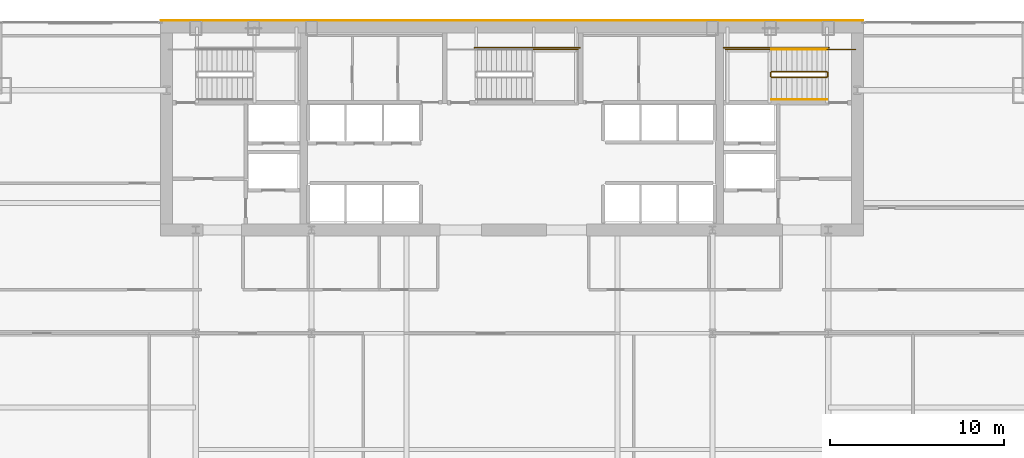
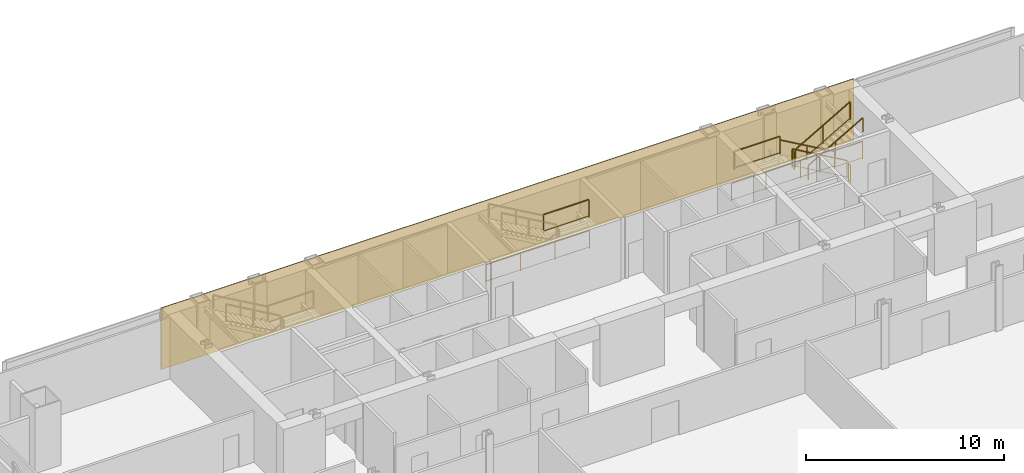
# One storey, part 33 of 34: 11 railings, 1 covering.
"""IFC4 building model written with IfcOpenShell, lengths in metres."""

from ifc_helpers import new_model, si_unit, direction, frame, origin, origin_2d, place, context, subcontext, project, spatial, polyline, rectangle, outline, extrude, material, layer, layer_set, type_object, element, save


model = new_model("IFC4")

# Units and contexts
model_context = context("Model", 3, precision=1e-05, world=origin(), true_north=direction((0.0, 1.0)))
body_context = subcontext(model_context, "Body", "Model", "MODEL_VIEW")
ifc_project = project(units=[si_unit("LENGTHUNIT", "METRE"), si_unit("AREAUNIT", "SQUARE_METRE"), si_unit("VOLUMEUNIT", "CUBIC_METRE"), si_unit("PLANEANGLEUNIT", "RADIAN"), si_unit("MASSUNIT", "GRAM", prefix="KILO")], contexts=[model_context])

# Site, building, storey
site_placement = place(None, origin())
site = spatial("IfcSite", under=ifc_project, at=site_placement, CompositionType="ELEMENT")
building_placement = place(site_placement, origin())
building = spatial("IfcBuilding", under=site, at=building_placement, Name="Khoronbel Lancet Exchange", CompositionType="ELEMENT")
storey_placement = place(building_placement, frame((0.0, 0.0, 102.60009765625)))
storey = spatial("IfcBuildingStorey", under=building, at=storey_placement, Name="L24", CompositionType="ELEMENT", Elevation=102.60009765625)

# Covering
ifc_material_1 = material(Name="Honed Egyptian Limestone & Bronze Rainscreen", Category="masonry")
ifc_layer = layer(ifc_material_1, 0.050048828125, Name="Honed Egyptian Limestone & Bronze Rainscreen")
ifc_layer_set = layer_set([ifc_layer], Name="Honed Egyptian Limestone & Bronze Rainscreen")
covering_type = type_object("IfcCoveringType", Name="COV-CLAD1", PredefinedType="CLADDING", material=ifc_layer_set)
covering_placement = place(storey_placement, origin())
element("IfcCovering", 1, at=covering_placement, inside=storey, type_object=covering_type, Name="Level L24 north rear-core stone and bronze rainscreen cladding", PredefinedType="CLADDING", context=body_context, shape_type="SweptSolid", body=[
    extrude(outline(polyline([(16.199951171875, 53.699951171875), (56.699951171875, 53.699951171875), (56.699951171875, 53.75), (16.199951171875, 53.75), (16.199951171875, 53.699951171875)])), origin(), (0.0, 0.0, 1.0), 3.7998046875),
])

# Railings
ifc_material_2 = material(Name="Painted Steel Balustrade", Category="steel")
railing_type_1 = type_object("IfcRailingType", Name="RL-STG110", PredefinedType="GUARDRAIL", material=ifc_material_2)
railing_1_placement = place(storey_placement, frame((54.60009765625, 50.77001953125, 0.16650390625)))
element("IfcRailing", 2, at=railing_1_placement, inside=storey, type_object=railing_type_1, Name="L24 ST2 stair guard 1", PredefinedType="GUARDRAIL", context=body_context, shape_type="SweptSolid", body=[
    extrude(rectangle(XDim=0.048095703125, YDim=0.048095703125, at=origin_2d()), frame((0.0, 0.0, 1.09619140625), z_axis=(-0.867007354286, 0.0, 0.498295341753), x_axis=(0.0, -1.0, 0.0)), (0.0, 0.0, 1.0), 3.679443359375),
    extrude(rectangle(XDim=0.02392578125, YDim=0.02392578125, at=origin_2d()), frame((0.0, 0.0, 0.080078125), z_axis=(-0.867007354286, 0.0, 0.498295341753), x_axis=(0.0, -1.0, 0.0)), (0.0, 0.0, 1.0), 3.679443359375),
    extrude(rectangle(XDim=0.0419921875, YDim=0.0419921875, at=origin_2d()), origin(), (0.0, 0.0, 1.0), 1.072021484375),
    extrude(rectangle(XDim=0.0419921875, YDim=0.0419921875, at=origin_2d()), frame((-1.59521484375, 0.0, 0.916748046875)), (0.0, 0.0, 1.0), 1.072021484375),
    extrude(rectangle(XDim=0.0419921875, YDim=0.0419921875, at=origin_2d()), frame((-3.190185546875, 0.0, 1.83349609375)), (0.0, 0.0, 1.0), 1.072021484375),
])
railing_2_placement = place(storey_placement, frame((51.360107421875, 50.719970703125, 2.0)))
element("IfcRailing", 3, at=railing_2_placement, inside=storey, type_object=railing_type_1, Name="L24 ST2 stair guard 2", PredefinedType="GUARDRAIL", context=body_context, shape_type="SweptSolid", body=[
    extrude(rectangle(XDim=0.048095703125, YDim=0.048095703125, at=origin_2d()), frame((0.0, 0.0, 1.09619140625), z_axis=(0.0, -1.0, 0.0), x_axis=(1.0, 0.0, 0.0)), (0.0, 0.0, 1.0), 0.219970703125),
    extrude(rectangle(XDim=0.02392578125, YDim=0.02392578125, at=origin_2d()), frame((0.0, 0.0, 0.080078125), z_axis=(0.0, -1.0, 0.0), x_axis=(1.0, 0.0, 0.0)), (0.0, 0.0, 1.0), 0.219970703125),
    extrude(rectangle(XDim=0.0419921875, YDim=0.0419921875, at=origin_2d()), origin(), (0.0, 0.0, 1.0), 1.072021484375),
    extrude(rectangle(XDim=0.0419921875, YDim=0.0419921875, at=origin_2d()), frame((0.0, -0.219970703125, 0.0)), (0.0, 0.0, 1.0), 1.072021484375),
])
railing_3_placement = place(storey_placement, frame((51.409912109375, 52.050048828125, 2.0)))
element("IfcRailing", 4, at=railing_3_placement, inside=storey, type_object=railing_type_1, Name="L24 ST2 stair guard 3", PredefinedType="GUARDRAIL", context=body_context, shape_type="SweptSolid", body=[
    extrude(rectangle(XDim=0.048095703125, YDim=0.048095703125, at=origin_2d()), frame((0.0, 0.0, 1.09619140625), z_axis=(-1.0, 0.0, 0.0), x_axis=(0.0, -1.0, 0.0)), (0.0, 0.0, 1.0), 2.659912109375),
    extrude(rectangle(XDim=0.02392578125, YDim=0.02392578125, at=origin_2d()), frame((0.0, 0.0, 0.080078125), z_axis=(-1.0, 0.0, 0.0), x_axis=(0.0, -1.0, 0.0)), (0.0, 0.0, 1.0), 2.659912109375),
    extrude(rectangle(XDim=0.0419921875, YDim=0.0419921875, at=origin_2d()), origin(), (0.0, 0.0, 1.0), 1.072021484375),
    extrude(rectangle(XDim=0.0419921875, YDim=0.0419921875, at=origin_2d()), frame((-2.659912109375, 0.0, 0.0)), (0.0, 0.0, 1.0), 1.072021484375),
])
railing_4_placement = place(storey_placement, frame((51.409912109375, 50.449951171875, 2.16650390625)))
element("IfcRailing", 5, at=railing_4_placement, inside=storey, type_object=railing_type_1, Name="L24 ST2 stair guard 4", PredefinedType="GUARDRAIL", context=body_context, shape_type="SweptSolid", body=[
    extrude(rectangle(XDim=0.048095703125, YDim=0.048095703125, at=origin_2d()), frame((0.0, 0.0, 1.09619140625), z_axis=(0.867007354286, 0.0, 0.498295341753), x_axis=(0.0, 1.0, 0.0)), (0.0, 0.0, 1.0), 3.679443359375),
    extrude(rectangle(XDim=0.02392578125, YDim=0.02392578125, at=origin_2d()), frame((0.0, 0.0, 0.080078125), z_axis=(0.867007354286, 0.0, 0.498295341753), x_axis=(0.0, 1.0, 0.0)), (0.0, 0.0, 1.0), 3.679443359375),
    extrude(rectangle(XDim=0.0419921875, YDim=0.0419921875, at=origin_2d()), origin(), (0.0, 0.0, 1.0), 1.072021484375),
    extrude(rectangle(XDim=0.0419921875, YDim=0.0419921875, at=origin_2d()), frame((1.59521484375, 0.0, 0.916748046875)), (0.0, 0.0, 1.0), 1.072021484375),
    extrude(rectangle(XDim=0.0419921875, YDim=0.0419921875, at=origin_2d()), frame((3.190185546875, 0.0, 1.83349609375)), (0.0, 0.0, 1.0), 1.072021484375),
])
railing_5_placement = place(storey_placement, frame((54.64990234375, 50.719970703125, 0.0)))
element("IfcRailing", 6, at=railing_5_placement, inside=storey, type_object=railing_type_1, Name="L24 ST2 stair guard 5", PredefinedType="GUARDRAIL", context=body_context, shape_type="SweptSolid", body=[
    extrude(rectangle(XDim=0.048095703125, YDim=0.048095703125, at=origin_2d()), frame((0.0, 0.0, 1.09619140625), z_axis=(0.0, -1.0, 0.0), x_axis=(1.0, 0.0, 0.0)), (0.0, 0.0, 1.0), 0.219970703125),
    extrude(rectangle(XDim=0.02392578125, YDim=0.02392578125, at=origin_2d()), frame((0.0, 0.0, 0.080078125), z_axis=(0.0, -1.0, 0.0), x_axis=(1.0, 0.0, 0.0)), (0.0, 0.0, 1.0), 0.219970703125),
    extrude(rectangle(XDim=0.0419921875, YDim=0.0419921875, at=origin_2d()), origin(), (0.0, 0.0, 1.0), 1.072021484375),
    extrude(rectangle(XDim=0.0419921875, YDim=0.0419921875, at=origin_2d()), frame((0.0, -0.219970703125, 0.0)), (0.0, 0.0, 1.0), 1.072021484375),
])
railing_6_placement = place(storey_placement, frame((56.25, 52.050048828125, 0.0)))
element("IfcRailing", 7, at=railing_6_placement, inside=storey, type_object=railing_type_1, Name="L24 ST2 stair guard 6", PredefinedType="GUARDRAIL", context=body_context, shape_type="SweptSolid", body=[
    extrude(rectangle(XDim=0.048095703125, YDim=0.048095703125, at=origin_2d()), frame((0.0, 0.0, 1.09619140625), z_axis=(-1.0, 0.0, 0.0), x_axis=(0.0, -1.0, 0.0)), (0.0, 0.0, 1.0), 1.64990234375),
    extrude(rectangle(XDim=0.02392578125, YDim=0.02392578125, at=origin_2d()), frame((0.0, 0.0, 0.080078125), z_axis=(-1.0, 0.0, 0.0), x_axis=(0.0, -1.0, 0.0)), (0.0, 0.0, 1.0), 1.64990234375),
    extrude(rectangle(XDim=0.0419921875, YDim=0.0419921875, at=origin_2d()), origin(), (0.0, 0.0, 1.0), 1.072021484375),
    extrude(rectangle(XDim=0.0419921875, YDim=0.0419921875, at=origin_2d()), frame((-1.64990234375, 0.0, 0.0)), (0.0, 0.0, 1.0), 1.072021484375),
])
railing_7_placement = place(storey_placement, frame((54.699951171875, 52.14990234375, 0.0)))
element("IfcRailing", 8, at=railing_7_placement, inside=storey, type_object=railing_type_1, Name="L24 ST2 stair guard 7", PredefinedType="GUARDRAIL", context=body_context, shape_type="SweptSolid", body=[
    extrude(rectangle(XDim=0.048095703125, YDim=0.048095703125, at=origin_2d()), frame((0.0, 0.0, 1.09619140625), z_axis=(-1.0, 0.0, 0.0), x_axis=(0.0, -1.0, 0.0)), (0.0, 0.0, 1.0), 6.050048828125),
    extrude(rectangle(XDim=0.02392578125, YDim=0.02392578125, at=origin_2d()), frame((0.0, 0.0, 0.080078125), z_axis=(-1.0, 0.0, 0.0), x_axis=(0.0, -1.0, 0.0)), (0.0, 0.0, 1.0), 6.050048828125),
    extrude(rectangle(XDim=0.0419921875, YDim=0.0419921875, at=origin_2d()), origin(), (0.0, 0.0, 1.0), 1.072021484375),
    extrude(rectangle(XDim=0.0419921875, YDim=0.0419921875, at=origin_2d()), frame((-2.0166015625, 0.0, 0.0)), (0.0, 0.0, 1.0), 1.072021484375),
    extrude(rectangle(XDim=0.0419921875, YDim=0.0419921875, at=origin_2d()), frame((-4.033447265625, 0.0, 0.0)), (0.0, 0.0, 1.0), 1.072021484375),
    extrude(rectangle(XDim=0.0419921875, YDim=0.0419921875, at=origin_2d()), frame((-6.050048828125, 0.0, 0.0)), (0.0, 0.0, 1.0), 1.072021484375),
])
railing_8_placement = place(storey_placement, frame((37.590087890625, 52.050048828125, 2.0)))
element("IfcRailing", 9, at=railing_8_placement, inside=storey, type_object=railing_type_1, Name="L24 ST3 stair guard 3", PredefinedType="GUARDRAIL", context=body_context, shape_type="SweptSolid", body=[
    extrude(rectangle(XDim=0.048095703125, YDim=0.048095703125, at=origin_2d()), frame((0.0, 0.0, 1.09619140625), z_axis=(1.0, 0.0, 0.0), x_axis=(0.0, 1.0, 0.0)), (0.0, 0.0, 1.0), 2.659912109375),
    extrude(rectangle(XDim=0.02392578125, YDim=0.02392578125, at=origin_2d()), frame((0.0, 0.0, 0.080078125), z_axis=(1.0, 0.0, 0.0), x_axis=(0.0, 1.0, 0.0)), (0.0, 0.0, 1.0), 2.659912109375),
    extrude(rectangle(XDim=0.0419921875, YDim=0.0419921875, at=origin_2d()), origin(), (0.0, 0.0, 1.0), 1.072021484375),
    extrude(rectangle(XDim=0.0419921875, YDim=0.0419921875, at=origin_2d()), frame((2.659912109375, 0.0, 0.0)), (0.0, 0.0, 1.0), 1.072021484375),
])
railing_9_placement = place(storey_placement, frame((34.300048828125, 52.14990234375, 0.0)))
element("IfcRailing", 10, at=railing_9_placement, inside=storey, type_object=railing_type_1, Name="L24 ST3 stair guard 7", PredefinedType="GUARDRAIL", context=body_context, shape_type="SweptSolid", body=[
    extrude(rectangle(XDim=0.048095703125, YDim=0.048095703125, at=origin_2d()), frame((0.0, 0.0, 1.09619140625), z_axis=(1.0, 0.0, 0.0), x_axis=(0.0, 1.0, 0.0)), (0.0, 0.0, 1.0), 6.050048828125),
    extrude(rectangle(XDim=0.02392578125, YDim=0.02392578125, at=origin_2d()), frame((0.0, 0.0, 0.080078125), z_axis=(1.0, 0.0, 0.0), x_axis=(0.0, 1.0, 0.0)), (0.0, 0.0, 1.0), 6.050048828125),
    extrude(rectangle(XDim=0.0419921875, YDim=0.0419921875, at=origin_2d()), origin(), (0.0, 0.0, 1.0), 1.072021484375),
    extrude(rectangle(XDim=0.0419921875, YDim=0.0419921875, at=origin_2d()), frame((2.0166015625, 0.0, 0.0)), (0.0, 0.0, 1.0), 1.072021484375),
    extrude(rectangle(XDim=0.0419921875, YDim=0.0419921875, at=origin_2d()), frame((4.033447265625, 0.0, 0.0)), (0.0, 0.0, 1.0), 1.072021484375),
    extrude(rectangle(XDim=0.0419921875, YDim=0.0419921875, at=origin_2d()), frame((6.050048828125, 0.0, 0.0)), (0.0, 0.0, 1.0), 1.072021484375),
])
ifc_material_3 = material(Name="Brushed Stainless Steel 316", Category="steel")
railing_type_2 = type_object("IfcRailingType", Name="RL-STH92", PredefinedType="HANDRAIL", material=ifc_material_3)
railing_10_placement = place(storey_placement, frame((54.60009765625, 52.050048828125, 0.16650390625)))
element("IfcRailing", 11, at=railing_10_placement, inside=storey, type_object=railing_type_2, Name="L24 ST2 stair handrail 1", PredefinedType="HANDRAIL", context=body_context, shape_type="SweptSolid", body=[
    extrude(rectangle(XDim=0.048095703125, YDim=0.048095703125, at=origin_2d()), frame((0.0, 0.0, 0.8759765625), z_axis=(-0.867007354286, 0.0, 0.498295341753), x_axis=(0.0, -1.0, 0.0)), (0.0, 0.0, 1.0), 3.679443359375),
    extrude(rectangle(XDim=0.0419921875, YDim=0.0419921875, at=origin_2d()), origin(), (0.0, 0.0, 1.0), 0.851806640625),
    extrude(rectangle(XDim=0.0419921875, YDim=0.0419921875, at=origin_2d()), frame((-1.59521484375, 0.0, 0.916748046875)), (0.0, 0.0, 1.0), 0.851806640625),
    extrude(rectangle(XDim=0.0419921875, YDim=0.0419921875, at=origin_2d()), frame((-3.190185546875, 0.0, 1.83349609375)), (0.0, 0.0, 1.0), 0.851806640625),
])
railing_11_placement = place(storey_placement, frame((51.409912109375, 49.169921875, 2.16650390625)))
element("IfcRailing", 12, at=railing_11_placement, inside=storey, type_object=railing_type_2, Name="L24 ST2 stair handrail 2", PredefinedType="HANDRAIL", context=body_context, shape_type="SweptSolid", body=[
    extrude(rectangle(XDim=0.048095703125, YDim=0.048095703125, at=origin_2d()), frame((0.0, 0.0, 0.8759765625), z_axis=(0.867007354286, 0.0, 0.498295341753), x_axis=(0.0, 1.0, 0.0)), (0.0, 0.0, 1.0), 3.679443359375),
    extrude(rectangle(XDim=0.0419921875, YDim=0.0419921875, at=origin_2d()), origin(), (0.0, 0.0, 1.0), 0.851806640625),
    extrude(rectangle(XDim=0.0419921875, YDim=0.0419921875, at=origin_2d()), frame((1.59521484375, 0.0, 0.916748046875)), (0.0, 0.0, 1.0), 0.851806640625),
    extrude(rectangle(XDim=0.0419921875, YDim=0.0419921875, at=origin_2d()), frame((3.190185546875, 0.0, 1.83349609375)), (0.0, 0.0, 1.0), 0.851806640625),
])

save(model, "model.ifc")
